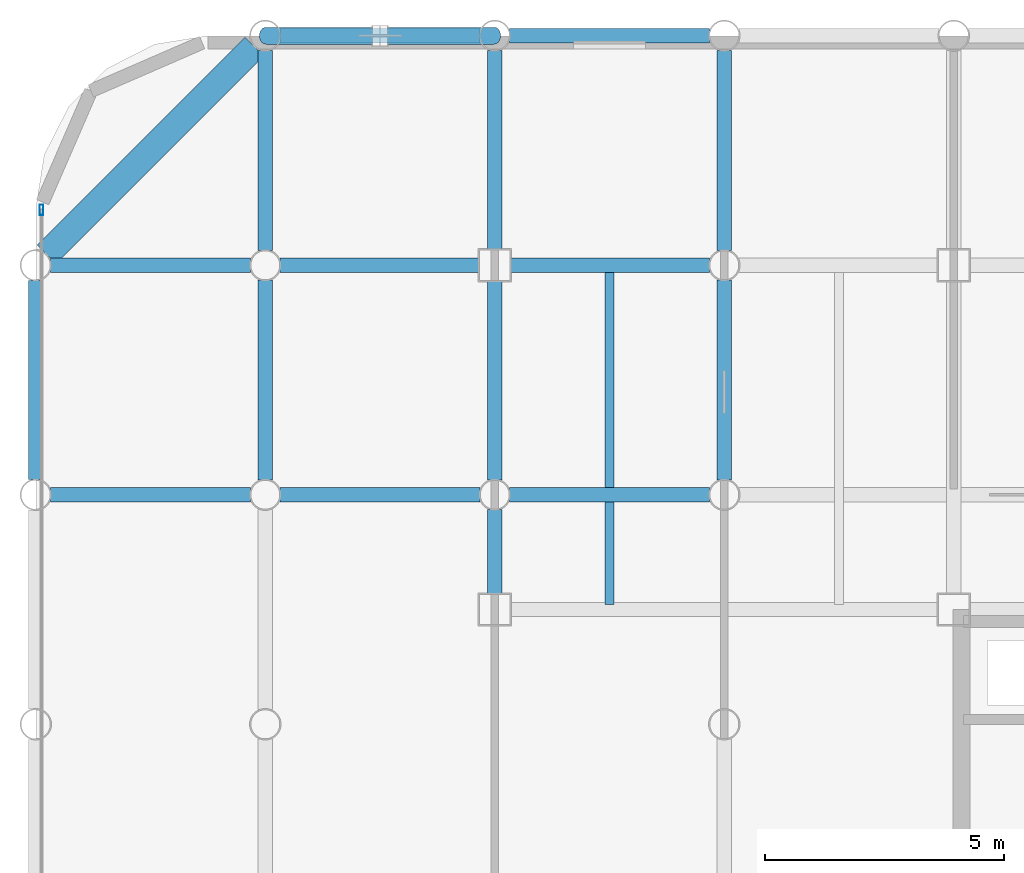
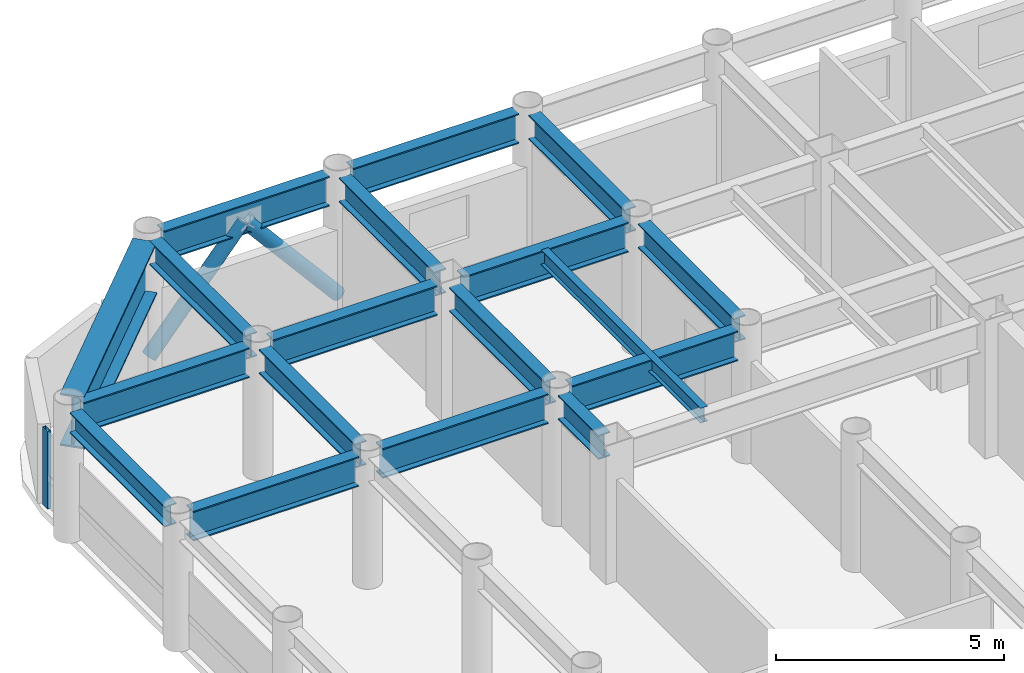
# One storey, part 9 of 20: 18 beams, 3 members, 1 element without a shape of its own.
"""IFC4 building model written with IfcOpenShell, lengths in metres."""

from ifc_helpers import new_model, si_unit, direction, frame, origin, origin_2d, place, context, subcontext, project, spatial, hollow_rectangle, hollow_circle, i_section, extrude, material, layer, layer_set, material_profile, profile_set, type_object, element, aggregate, save


model = new_model("IFC4")

# Units and contexts
model_context = context("Model", 3, precision=1e-05, world=origin(), true_north=direction((0.0, 1.0)))
body_context = subcontext(model_context, "Body", "Model", "MODEL_VIEW")
ifc_project = project(units=[si_unit("LENGTHUNIT", "METRE"), si_unit("AREAUNIT", "SQUARE_METRE"), si_unit("VOLUMEUNIT", "CUBIC_METRE"), si_unit("PLANEANGLEUNIT", "RADIAN"), si_unit("MASSUNIT", "GRAM", prefix="KILO")], contexts=[model_context])

# Site, building, storey
site_placement = place(None, origin())
site = spatial("IfcSite", under=ifc_project, at=site_placement, CompositionType="ELEMENT")
building_placement = place(site_placement, origin())
building = spatial("IfcBuilding", under=site, at=building_placement, Name="Kallvorn Hotel Tower", CompositionType="ELEMENT")
storey_placement = place(building_placement, frame((0.0, 0.0, 161.800048828125)))
storey = spatial("IfcBuildingStorey", under=building, at=storey_placement, Name="L40", CompositionType="ELEMENT", Elevation=161.800048828125)

# Beams
ifc_material_1 = material(Name="Structural steel S355JR", Category="steel")
ifc_material_profile_1 = material_profile(ifc_material_1, i_section(OverallWidth=0.300048828125, OverallDepth=0.550048828125, WebThickness=0.014892578125, FlangeThickness=0.029052734375, at=origin_2d()), Name="HE 550 B")
ifc_profile_set_1 = profile_set([ifc_material_profile_1], Name="Structural steel S355JR")
beam_type_1 = type_object("IfcBeamType", Name="BM_HE550B", PredefinedType="SPANDREL", material=ifc_profile_set_1)
beam_1_placement = place(storey_placement, frame((-33.60009765625, 9.919921875, 3.244873046875), z_axis=(0.0, 1.0, 0.0), x_axis=(-1.0, 0.0, 0.0)))
element("IfcBeam", 1, at=beam_1_placement, inside=storey, type_object=beam_type_1, Name="L41 Perimeter Spandrel 180", PredefinedType="SPANDREL", context=body_context, shape_type="SweptSolid", body=[
    extrude(i_section(OverallWidth=0.300048828125, OverallDepth=0.550048828125, WebThickness=0.014892578125, FlangeThickness=0.029052734375, at=origin_2d()), origin(), (0.0, 0.0, 1.0), 4.16015625),
])
ifc_material_2 = material(Name="Structural steel S355JR", Category="steel")
ifc_material_profile_2 = material_profile(ifc_material_2, i_section(OverallWidth=0.300048828125, OverallDepth=0.64990234375, WebThickness=0.01611328125, FlangeThickness=0.031005859375, at=origin_2d()), Name="HE 650 B")
ifc_profile_set_2 = profile_set([ifc_material_profile_2], Name="Structural steel S355JR")
beam_type_2 = type_object("IfcBeamType", Name="BM_HE650B", PredefinedType="BEAM", material=ifc_profile_set_2)
for number, where, z_axis, x_axis, name in (
    (2, (-28.800048828125, 9.905029296875, 3.195068359375), (0.0, 1.0, 0.0), (-1.0, 0.0, 0.0), "L41 Primary Y-Girder 80"),
    (3, (-28.800048828125, 14.705078125, 3.195068359375), (0.0, 1.0, 0.0), (-1.0, 0.0, 0.0), "L41 Primary Y-Girder 81"),
):
    element("IfcBeam", number, at=place(storey_placement, frame(where, z_axis=z_axis, x_axis=x_axis)), inside=storey, type_object=beam_type_2, Name=name, PredefinedType="BEAM", context=body_context, shape_type="SweptSolid", body=[
        extrude(i_section(OverallWidth=0.300048828125, OverallDepth=0.64990234375, WebThickness=0.01611328125, FlangeThickness=0.031005859375, at=origin_2d()), origin(), (0.0, 0.0, 1.0), 4.18994140625),
    ])
beam_2_placement = place(storey_placement, frame((-24.0, 7.52490234375, 3.195068359375), z_axis=(0.0, 1.0, 0.0), x_axis=(-1.0, 0.0, 0.0)))
element("IfcBeam", 4, at=beam_2_placement, inside=storey, type_object=beam_type_2, Name="L41 Primary Y-Girder 86", PredefinedType="BEAM", context=body_context, shape_type="SweptSolid", body=[
    extrude(i_section(OverallWidth=0.300048828125, OverallDepth=0.64990234375, WebThickness=0.01611328125, FlangeThickness=0.031005859375, at=origin_2d()), origin(), (0.0, 0.0, 1.0), 1.77001953125),
])
for number, where, z_axis, x_axis, name in (
    (5, (-24.0, 9.905029296875, 3.195068359375), (0.0, 1.0, 0.0), (-1.0, 0.0, 0.0), "L41 Primary Y-Girder 87"),
    (6, (-24.0, 14.72509765625, 3.195068359375), (0.0, 1.0, 0.0), (-1.0, 0.0, 0.0), "L41 Primary Y-Girder 88"),
):
    element("IfcBeam", number, at=place(storey_placement, frame(where, z_axis=z_axis, x_axis=x_axis)), inside=storey, type_object=beam_type_2, Name=name, PredefinedType="BEAM", context=body_context, shape_type="SweptSolid", body=[
        extrude(i_section(OverallWidth=0.300048828125, OverallDepth=0.64990234375, WebThickness=0.01611328125, FlangeThickness=0.031005859375, at=origin_2d()), origin(), (0.0, 0.0, 1.0), 4.169921875),
    ])
for number, where, z_axis, x_axis, name in (
    (7, (-19.199951171875, 9.905029296875, 3.195068359375), (0.0, 1.0, 0.0), (-1.0, 0.0, 0.0), "L41 Primary Y-Girder 96"),
    (8, (-19.199951171875, 14.705078125, 3.195068359375), (0.0, 1.0, 0.0), (-1.0, 0.0, 0.0), "L41 Primary Y-Girder 97"),
):
    element("IfcBeam", number, at=place(storey_placement, frame(where, z_axis=z_axis, x_axis=x_axis)), inside=storey, type_object=beam_type_2, Name=name, PredefinedType="BEAM", context=body_context, shape_type="SweptSolid", body=[
        extrude(i_section(OverallWidth=0.300048828125, OverallDepth=0.64990234375, WebThickness=0.01611328125, FlangeThickness=0.031005859375, at=origin_2d()), origin(), (0.0, 0.0, 1.0), 4.18994140625),
    ])
ifc_material_3 = material(Name="Structural steel S355JR", Category="steel")
ifc_material_profile_3 = material_profile(ifc_material_3, i_section(OverallWidth=0.300048828125, OverallDepth=0.800048828125, WebThickness=0.017578125, FlangeThickness=0.032958984375, at=origin_2d()), Name="HE 800 B")
ifc_profile_set_3 = profile_set([ifc_material_profile_3], Name="Structural steel S355JR")
beam_type_3 = type_object("IfcBeamType", Name="BM_HE800B", PredefinedType="BEAM", material=ifc_profile_set_3)
beam_3_placement = place(storey_placement, frame((-33.294921875, 9.60009765625, 3.119873046875), z_axis=(1.0, 0.0, 0.0), x_axis=(0.0, 1.0, 0.0)))
element("IfcBeam", 9, at=beam_3_placement, inside=storey, type_object=beam_type_3, Name="L41 Primary X-Girder 42", PredefinedType="BEAM", context=body_context, shape_type="SweptSolid", body=[
    extrude(i_section(OverallWidth=0.300048828125, OverallDepth=0.800048828125, WebThickness=0.017578125, FlangeThickness=0.032958984375, at=origin_2d()), origin(), (0.0, 0.0, 1.0), 4.18994140625),
])
for number, where, z_axis, x_axis, name in (
    (10, (-28.4951171875, 9.60009765625, 3.119873046875), (1.0, 0.0, 0.0), (0.0, 1.0, 0.0), "L41 Primary X-Girder 43"),
    (11, (-23.695068359375, 9.60009765625, 3.119873046875), (1.0, 0.0, 0.0), (0.0, 1.0, 0.0), "L41 Primary X-Girder 44"),
):
    element("IfcBeam", number, at=place(storey_placement, frame(where, z_axis=z_axis, x_axis=x_axis)), inside=storey, type_object=beam_type_3, Name=name, PredefinedType="BEAM", context=body_context, shape_type="SweptSolid", body=[
        extrude(i_section(OverallWidth=0.300048828125, OverallDepth=0.800048828125, WebThickness=0.017578125, FlangeThickness=0.032958984375, at=origin_2d()), origin(), (0.0, 0.0, 1.0), 4.190185546875),
    ])
beam_4_placement = place(storey_placement, frame((-33.294921875, 14.39990234375, 3.119873046875), z_axis=(1.0, 0.0, 0.0), x_axis=(0.0, 1.0, 0.0)))
element("IfcBeam", 12, at=beam_4_placement, inside=storey, type_object=beam_type_3, Name="L41 Primary X-Girder 51", PredefinedType="BEAM", context=body_context, shape_type="SweptSolid", body=[
    extrude(i_section(OverallWidth=0.300048828125, OverallDepth=0.800048828125, WebThickness=0.017578125, FlangeThickness=0.032958984375, at=origin_2d()), origin(), (0.0, 0.0, 1.0), 4.18994140625),
])
for number, where, z_axis, x_axis, name in (
    (13, (-28.4951171875, 14.39990234375, 3.119873046875), (1.0, 0.0, 0.0), (0.0, 1.0, 0.0), "L41 Primary X-Girder 52"),
    (14, (-23.675048828125, 14.39990234375, 3.119873046875), (1.0, 0.0, 0.0), (0.0, 1.0, 0.0), "L41 Primary X-Girder 53"),
):
    element("IfcBeam", number, at=place(storey_placement, frame(where, z_axis=z_axis, x_axis=x_axis)), inside=storey, type_object=beam_type_3, Name=name, PredefinedType="BEAM", context=body_context, shape_type="SweptSolid", body=[
        extrude(i_section(OverallWidth=0.300048828125, OverallDepth=0.800048828125, WebThickness=0.017578125, FlangeThickness=0.032958984375, at=origin_2d()), origin(), (0.0, 0.0, 1.0), 4.170166015625),
    ])
for number, where, z_axis, x_axis, name in (
    (15, (-28.4951171875, 19.199951171875, 3.119873046875), (1.0, 0.0, 0.0), (0.0, 1.0, 0.0), "L41 Primary X-Girder 61"),
    (16, (-23.695068359375, 19.199951171875, 3.119873046875), (1.0, 0.0, 0.0), (0.0, 1.0, 0.0), "L41 Primary X-Girder 62"),
):
    element("IfcBeam", number, at=place(storey_placement, frame(where, z_axis=z_axis, x_axis=x_axis)), inside=storey, type_object=beam_type_3, Name=name, PredefinedType="BEAM", context=body_context, shape_type="SweptSolid", body=[
        extrude(i_section(OverallWidth=0.300048828125, OverallDepth=0.800048828125, WebThickness=0.017578125, FlangeThickness=0.032958984375, at=origin_2d()), origin(), (0.0, 0.0, 1.0), 4.190185546875),
    ])
ifc_material_4 = material(Name="Structural steel S355JR", Category="steel")
ifc_material_profile_4 = material_profile(ifc_material_4, i_section(OverallWidth=0.179931640625, OverallDepth=0.39990234375, WebThickness=0.008544921875, FlangeThickness=0.013427734375, at=origin_2d()), Name="IPE 400")
ifc_profile_set_4 = profile_set([ifc_material_profile_4], Name="Structural steel S355JR")
beam_type_4 = type_object("IfcBeamType", Name="BM_IPE400", PredefinedType="JOIST", material=ifc_profile_set_4)
beam_5_placement = place(storey_placement, frame((-21.60009765625, 7.300048828125, 3.320068359375), z_axis=(0.0, 1.0, 0.0), x_axis=(-1.0, 0.0, 0.0)))
element("IfcBeam", 17, at=beam_5_placement, inside=storey, type_object=beam_type_4, Name="L41 Secondary Composite Joist 193", PredefinedType="JOIST", context=body_context, shape_type="SweptSolid", body=[
    extrude(i_section(OverallWidth=0.179931640625, OverallDepth=0.39990234375, WebThickness=0.008544921875, FlangeThickness=0.013427734375, at=origin_2d()), origin(), (0.0, 0.0, 1.0), 7.0),
])
ifc_material_5 = material(Name="Structural steel S355JR", Category="steel")
ifc_material_profile_5 = material_profile(ifc_material_5, i_section(OverallWidth=0.550048828125, OverallDepth=1.39990234375, WebThickness=0.02490234375, FlangeThickness=0.044921875, at=origin_2d()), Name="PG 1400x550x25x45")
ifc_profile_set_5 = profile_set([ifc_material_profile_5], Name="Structural steel S355JR")
beam_type_5 = type_object("IfcBeamType", Name="BM_PG_1400", PredefinedType="BEAM", material=ifc_profile_set_5)
beam_6_placement = place(storey_placement, frame((-33.373779296875, 14.626220703125, 2.820068359375), z_axis=(0.707106781187, 0.707106781187, 0.0), x_axis=(-0.707106781187, 0.707106781187, 0.0)))
element("IfcBeam", 18, at=beam_6_placement, inside=storey, type_object=beam_type_5, Name="L41 Rounded Corner Tie Beam 190", PredefinedType="BEAM", context=body_context, shape_type="SweptSolid", body=[
    extrude(i_section(OverallWidth=0.550048828125, OverallDepth=1.39990234375, WebThickness=0.02490234375, FlangeThickness=0.044921875, at=origin_2d()), origin(), (0.0, 0.0, 1.0), 6.148193359375),
])

# Curtain wall, member
ifc_material_6 = material(Name="Thermally broken black-anodised aluminium AA 6063-T6", Category="aluminium")
ifc_layer = layer(ifc_material_6, 0.2099609375)
ifc_layer_set = layer_set([ifc_layer], Name="CW_SYS_4_HOTEL_MID")
curtain_wall_type = type_object("IfcCurtainWallType", Name="CW_SYS_4_HOTEL_MID", PredefinedType="USERDEFINED", material=ifc_layer_set)
curtain_wall_placement = place(storey_placement, origin())
curtain_wall = element("IfcCurtainWall", 19, at=curtain_wall_placement, inside=storey, type_object=curtain_wall_type, Name="L40 Dark-Glass Curtain Wall CW-L40-WN", ObjectType="UNITISED CURTAIN WALL", PredefinedType="USERDEFINED")
ifc_material_7 = material(Name="Thermally broken black-anodised aluminium AA 6063-T6", Category="aluminium")
ifc_material_profile_6 = material_profile(ifc_material_7, hollow_rectangle(XDim=0.080078125, YDim=0.219970703125, WallThickness=0.0048828125, at=origin_2d()), Name="MUL 220x80")
ifc_profile_set_6 = profile_set([ifc_material_profile_6], Name="Thermally broken black-anodised aluminium AA 6063-T6")
member_type_1 = type_object("IfcMemberType", Name="CW_MULLION_220x80", PredefinedType="MULLION", material=ifc_profile_set_6)
member_placement = place(storey_placement, frame((-33.47998046875, 15.56005859375, 0.02001953125), z_axis=(0.0, 0.0, 1.0), x_axis=(1.0, 0.0, 0.0)))
member = element("IfcMember", 20, at=member_placement, type_object=member_type_1, Name="CW-L40-WN Mullion 01", PredefinedType="MULLION", context=body_context, shape_type="SweptSolid", body=[
    extrude(hollow_rectangle(XDim=0.080078125, YDim=0.219970703125, WallThickness=0.0048828125, at=origin_2d()), origin(), (0.0, 0.0, 1.0), 2.079833984375),
])
aggregate(curtain_wall, [member])

# Members
ifc_material_8 = material(Name="Structural steel S355J2H", Category="steel")
ifc_material_profile_7 = material_profile(ifc_material_8, hollow_circle(Radius=0.177734375, WallThickness=0.01416015625, at=origin_2d()), Name="CHS 355.6x14.2")
ifc_profile_set_7 = profile_set([ifc_material_profile_7], Name="Structural steel S355J2H")
member_type_2 = type_object("IfcMemberType", Name="MBR_EXO_CHS355", PredefinedType="BRACE", material=ifc_profile_set_7)
for number, where, z_axis, x_axis, name in (
    (21, (-28.787109375, 19.199951171875, 0.1953125), (0.646833296797, 0.0, 0.762631422218), (0.0, 1.0, 0.0), "L40 Exoskeleton K-Brace N1A"),
    (22, (-24.012939453125, 19.199951171875, 0.1953125), (-0.646833296797, 0.0, 0.762631422218), (0.0, -1.0, 0.0), "L40 Exoskeleton K-Brace N1B"),
):
    element("IfcMember", number, at=place(storey_placement, frame(where, z_axis=z_axis, x_axis=x_axis)), inside=storey, type_object=member_type_2, Name=name, PredefinedType="BRACE", context=body_context, shape_type="SweptSolid", body=[
        extrude(hollow_circle(Radius=0.177734375, WallThickness=0.01416015625, at=origin_2d()), origin(), (0.0, 0.0, 1.0), 3.670654296875),
    ])

save(model, "model.ifc")
